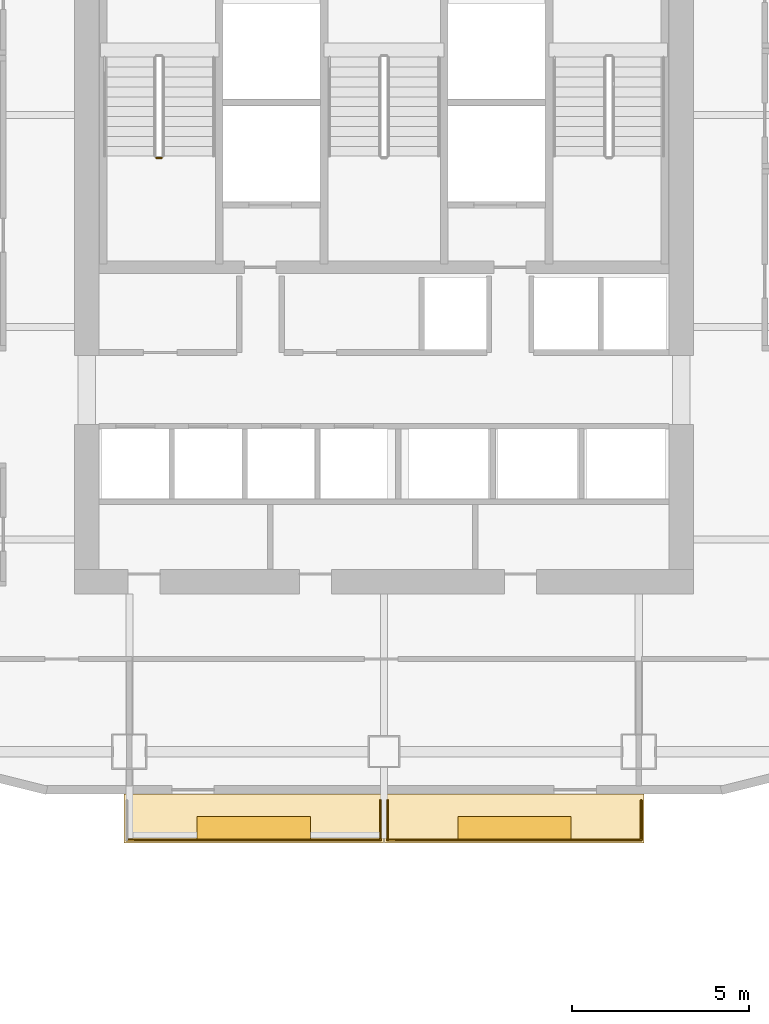
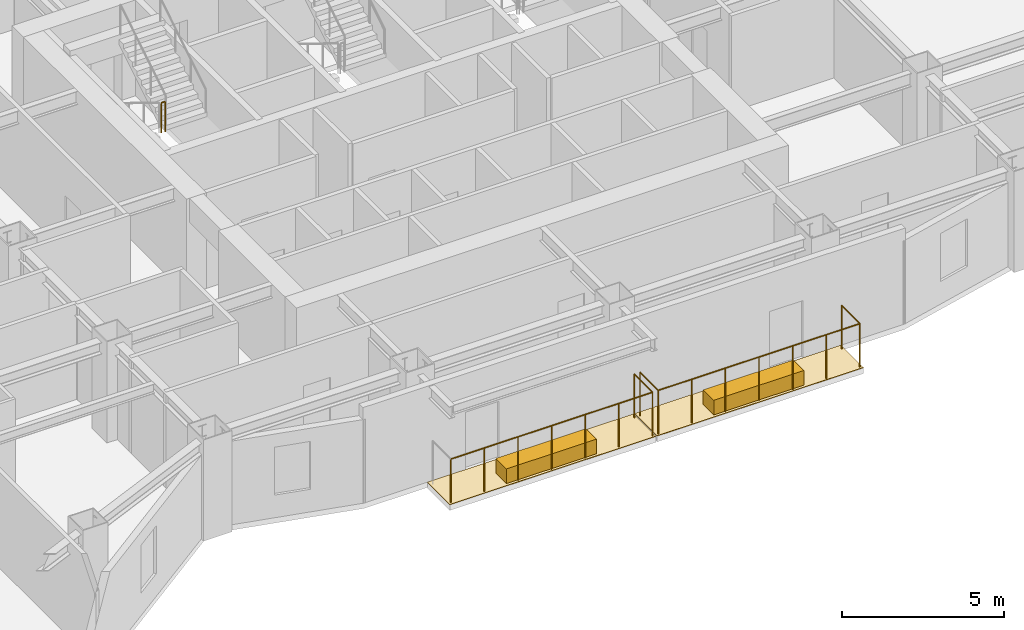
# One storey, part 12 of 14: 4 coverings, 4 railings.
"""IFC4 building model written with IfcOpenShell, lengths in metres."""

from ifc_helpers import new_model, si_unit, direction, frame, origin, origin_2d, place, context, subcontext, project, spatial, polyline, rectangle, circle, outline, extrude, material, layer, layer_set, type_object, element, save


model = new_model("IFC4")

# Units and contexts
model_context = context("Model", 3, precision=1e-05, world=origin(), true_north=direction((0.0, 1.0)))
body_context = subcontext(model_context, "Body", "Model", "MODEL_VIEW")
ifc_project = project(units=[si_unit("LENGTHUNIT", "METRE"), si_unit("AREAUNIT", "SQUARE_METRE"), si_unit("VOLUMEUNIT", "CUBIC_METRE"), si_unit("PLANEANGLEUNIT", "RADIAN"), si_unit("MASSUNIT", "GRAM", prefix="KILO")], contexts=[model_context])

# Site, building, storey
site_placement = place(None, origin())
site = spatial("IfcSite", under=ifc_project, at=site_placement, CompositionType="ELEMENT")
building_placement = place(site_placement, origin())
building = spatial("IfcBuilding", under=site, at=building_placement, Name="Haolan Belvedere Tower", CompositionType="ELEMENT")
storey_placement = place(building_placement, frame((0.0, 0.0, 109.800048828125)))
storey = spatial("IfcBuildingStorey", under=building, at=storey_placement, Name="L27", CompositionType="ELEMENT", Elevation=109.800048828125)

# Coverings
ifc_material_1 = material(Name="Engineered lightweight planted garden soil substrate", Category="masonry")
ifc_layer_1 = layer(ifc_material_1, 0.550048828125, Name="Engineered lightweight planted garden soil substrate")
ifc_layer_set_1 = layer_set([ifc_layer_1], Name="Engineered lightweight planted garden soil substrate")
covering_type_1 = type_object("IfcCoveringType", Name="COV-PLANT-550", PredefinedType="MEMBRANE", material=ifc_layer_set_1)
for number, where, z_axis, x_axis, name in (
    (1, (34.715087890625, 19.43994140625, 0.0), (0.0, 0.0, 1.0), (1.0, 0.0, 0.0), "L27 structural tree balcony PLANTER box 1"),
    (2, (42.0849609375, 19.43994140625, 0.0), (0.0, 0.0, 1.0), (1.0, 0.0, 0.0), "L27 structural tree balcony PLANTER box 2"),
):
    element("IfcCovering", number, at=place(storey_placement, frame(where, z_axis=z_axis, x_axis=x_axis)), inside=storey, type_object=covering_type_1, Name=name, PredefinedType="MEMBRANE", context=body_context, shape_type="SweptSolid", body=[
        extrude(rectangle(XDim=3.199951171875, YDim=0.64990234375, at=origin_2d()), origin(), (0.0, 0.0, 1.0), 0.550048828125),
    ])
ifc_material_2 = material(Name="Elastomeric waterproof roofing membrane and stone pavers", Category="masonry")
ifc_layer_2 = layer(ifc_material_2, 0.02001953125, Name="Elastomeric waterproof roofing membrane and stone pavers")
ifc_layer_set_2 = layer_set([ifc_layer_2], Name="Elastomeric waterproof roofing membrane and stone pavers")
covering_type_2 = type_object("IfcCoveringType", Name="COV-ROOF-20", PredefinedType="ROOFING", material=ifc_layer_set_2)
covering_1_placement = place(storey_placement, frame((0.0, 0.0, -0.02001953125)))
element("IfcCovering", 3, at=covering_1_placement, inside=storey, type_object=covering_type_2, Name="L27 tree-balcony waterproof membrane 1", PredefinedType="ROOFING", context=body_context, shape_type="SweptSolid", body=[
    extrude(outline(polyline([(31.050048828125, 19.02001953125), (38.3798828125, 19.02001953125), (38.3798828125, 20.39990234375), (31.050048828125, 20.39990234375), (31.050048828125, 19.02001953125)])), origin(), (0.0, 0.0, 1.0), 0.02001953125),
])
covering_2_placement = place(storey_placement, frame((0.0, 0.0, -0.02001953125)))
element("IfcCovering", 4, at=covering_2_placement, inside=storey, type_object=covering_type_2, Name="L27 tree-balcony waterproof membrane 2", PredefinedType="ROOFING", context=body_context, shape_type="SweptSolid", body=[
    extrude(outline(polyline([(38.419921875, 19.02001953125), (45.75, 19.02001953125), (45.75, 20.39990234375), (38.419921875, 20.39990234375), (38.419921875, 19.02001953125)])), origin(), (0.0, 0.0, 1.0), 0.02001953125),
])

# Railings
ifc_material_3 = material(Name="Brushed stainless steel 304", Category="steel")
railing_type_1 = type_object("IfcRailingType", Name="RL-STAIR-GRD-1150", PredefinedType="GUARDRAIL", material=ifc_material_3)
railing_1_placement = place(storey_placement, frame((31.969970703125, 38.3798828125, 1.89990234375)))
element("IfcRailing", 5, at=railing_1_placement, inside=storey, type_object=railing_type_1, Name="L27 ST1 stair guard 2", PredefinedType="GUARDRAIL", context=body_context, shape_type="SweptSolid", body=[
    extrude(circle(Radius=0.02392578125, at=origin_2d()), frame((0.0, 0.0, 1.1259765625), z_axis=(1.0, 0.0, 0.0), x_axis=(0.0, 1.0, 0.0)), (0.0, 0.0, 1.0), 0.14013671875),
    extrude(circle(Radius=0.02099609375, at=origin_2d()), origin(), (0.0, 0.0, 1.0), 1.101806640625),
    extrude(circle(Radius=0.02099609375, at=origin_2d()), frame((0.14013671875, 0.0, 0.0)), (0.0, 0.0, 1.0), 1.101806640625),
])
ifc_material_4 = material(Name="Anodised aluminium and laminated glass balustrade", Category="aluminium")
railing_type_2 = type_object("IfcRailingType", Name="RL-TER-BAL-1150", PredefinedType="BALUSTRADE", material=ifc_material_4)
railing_2_placement = place(storey_placement, frame((38.300048828125, 20.219970703125, 0.0)))
element("IfcRailing", 6, at=railing_2_placement, inside=storey, type_object=railing_type_2, Name="L27 outdoor perimeter balustrade BAL-L27-1-2", PredefinedType="BALUSTRADE", context=body_context, shape_type="SweptSolid", body=[
    extrude(circle(Radius=0.02392578125, at=origin_2d()), frame((0.0, 0.0, 1.6259765625), z_axis=(0.0, -1.0, 0.0), x_axis=(1.0, 0.0, 0.0)), (0.0, 0.0, 1.0), 1.119873046875),
    extrude(circle(Radius=0.02392578125, at=origin_2d()), frame((0.0, -1.119873046875, 1.6259765625), z_axis=(-1.0, 0.0, 0.0), x_axis=(0.0, -1.0, 0.0)), (0.0, 0.0, 1.0), 7.170166015625),
    extrude(circle(Radius=0.02099609375, at=origin_2d()), origin(), (0.0, 0.0, 1.0), 1.601806640625),
    extrude(circle(Radius=0.02099609375, at=origin_2d()), frame((0.0, -1.119873046875, 0.0)), (0.0, 0.0, 1.0), 1.601806640625),
    extrude(circle(Radius=0.02099609375, at=origin_2d()), frame((-1.195068359375, -1.119873046875, 0.0)), (0.0, 0.0, 1.0), 1.601806640625),
    extrude(circle(Radius=0.02099609375, at=origin_2d()), frame((-2.39013671875, -1.119873046875, 0.0)), (0.0, 0.0, 1.0), 1.601806640625),
    extrude(circle(Radius=0.02099609375, at=origin_2d()), frame((-3.5849609375, -1.119873046875, 0.0)), (0.0, 0.0, 1.0), 1.601806640625),
    extrude(circle(Radius=0.02099609375, at=origin_2d()), frame((-4.780029296875, -1.119873046875, 0.0)), (0.0, 0.0, 1.0), 1.601806640625),
    extrude(circle(Radius=0.02099609375, at=origin_2d()), frame((-5.97509765625, -1.119873046875, 0.0)), (0.0, 0.0, 1.0), 1.601806640625),
    extrude(circle(Radius=0.02099609375, at=origin_2d()), frame((-7.170166015625, -1.119873046875, 0.0)), (0.0, 0.0, 1.0), 1.601806640625),
])
railing_3_placement = place(storey_placement, frame((38.5, 19.10009765625, 0.0)))
element("IfcRailing", 7, at=railing_3_placement, inside=storey, type_object=railing_type_2, Name="L27 outdoor perimeter balustrade BAL-L27-2-1", PredefinedType="BALUSTRADE", context=body_context, shape_type="SweptSolid", body=[
    extrude(circle(Radius=0.02392578125, at=origin_2d()), frame((0.0, 0.0, 1.6259765625), z_axis=(0.0, 1.0, 0.0), x_axis=(-1.0, 0.0, 0.0)), (0.0, 0.0, 1.0), 1.119873046875),
    extrude(circle(Radius=0.02099609375, at=origin_2d()), origin(), (0.0, 0.0, 1.0), 1.601806640625),
    extrude(circle(Radius=0.02099609375, at=origin_2d()), frame((0.0, 1.119873046875, 0.0)), (0.0, 0.0, 1.0), 1.601806640625),
])
railing_4_placement = place(storey_placement, frame((45.669921875, 20.219970703125, 0.0)))
element("IfcRailing", 8, at=railing_4_placement, inside=storey, type_object=railing_type_2, Name="L27 outdoor perimeter balustrade BAL-L27-2-2", PredefinedType="BALUSTRADE", context=body_context, shape_type="SweptSolid", body=[
    extrude(circle(Radius=0.02392578125, at=origin_2d()), frame((0.0, 0.0, 1.6259765625), z_axis=(0.0, -1.0, 0.0), x_axis=(1.0, 0.0, 0.0)), (0.0, 0.0, 1.0), 1.119873046875),
    extrude(circle(Radius=0.02392578125, at=origin_2d()), frame((0.0, -1.119873046875, 1.6259765625), z_axis=(-1.0, 0.0, 0.0), x_axis=(0.0, -1.0, 0.0)), (0.0, 0.0, 1.0), 7.169921875),
    extrude(circle(Radius=0.02099609375, at=origin_2d()), origin(), (0.0, 0.0, 1.0), 1.601806640625),
    extrude(circle(Radius=0.02099609375, at=origin_2d()), frame((0.0, -1.119873046875, 0.0)), (0.0, 0.0, 1.0), 1.601806640625),
    extrude(circle(Radius=0.02099609375, at=origin_2d()), frame((-1.195068359375, -1.119873046875, 0.0)), (0.0, 0.0, 1.0), 1.601806640625),
    extrude(circle(Radius=0.02099609375, at=origin_2d()), frame((-2.389892578125, -1.119873046875, 0.0)), (0.0, 0.0, 1.0), 1.601806640625),
    extrude(circle(Radius=0.02099609375, at=origin_2d()), frame((-3.5849609375, -1.119873046875, 0.0)), (0.0, 0.0, 1.0), 1.601806640625),
    extrude(circle(Radius=0.02099609375, at=origin_2d()), frame((-4.780029296875, -1.119873046875, 0.0)), (0.0, 0.0, 1.0), 1.601806640625),
    extrude(circle(Radius=0.02099609375, at=origin_2d()), frame((-5.974853515625, -1.119873046875, 0.0)), (0.0, 0.0, 1.0), 1.601806640625),
    extrude(circle(Radius=0.02099609375, at=origin_2d()), frame((-7.169921875, -1.119873046875, 0.0)), (0.0, 0.0, 1.0), 1.601806640625),
])

save(model, "model.ifc")
